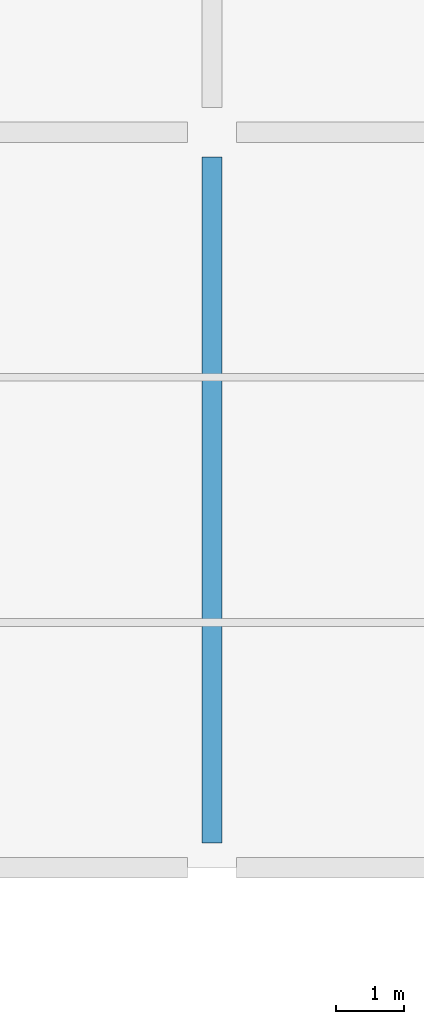
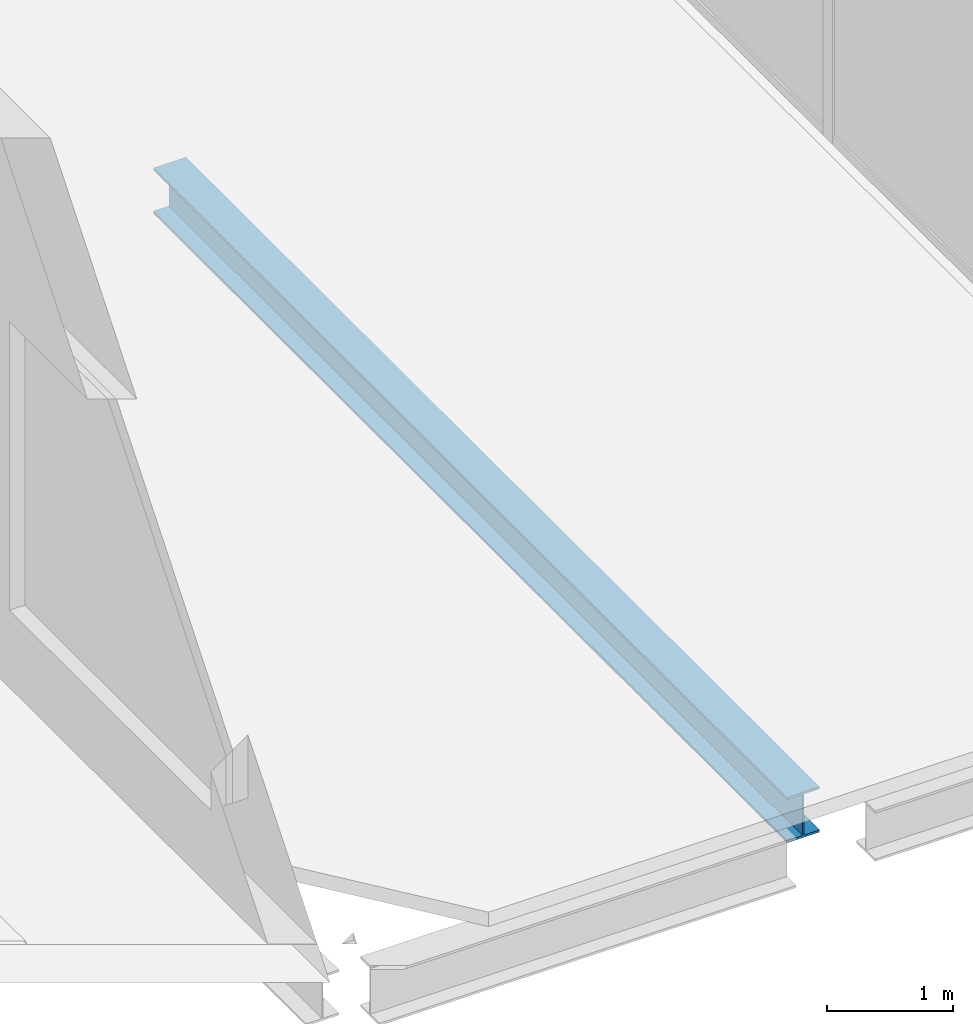
# One storey, part 84 of 191: 1 beam.
"""IFC4 building model written with IfcOpenShell, lengths in metres."""

from ifc_helpers import new_model, si_unit, direction, frame, origin, origin_2d, place, context, subcontext, project, spatial, i_section, extrude, material, material_profile, profile_set, type_object, element, save


model = new_model("IFC4")

# Units and contexts
model_context = context("Model", 3, precision=1e-05, world=origin(), true_north=direction((0.0, 1.0)))
body_context = subcontext(model_context, "Body", "Model", "MODEL_VIEW")
ifc_project = project(units=[si_unit("LENGTHUNIT", "METRE"), si_unit("AREAUNIT", "SQUARE_METRE"), si_unit("VOLUMEUNIT", "CUBIC_METRE"), si_unit("PLANEANGLEUNIT", "RADIAN"), si_unit("MASSUNIT", "GRAM", prefix="KILO")], contexts=[model_context])

# Site, building, storey
site_placement = place(None, origin())
site = spatial("IfcSite", under=ifc_project, at=site_placement, CompositionType="ELEMENT")
building_placement = place(site_placement, origin())
building = spatial("IfcBuilding", under=site, at=building_placement, Name="Tamarisk Ironworks Central Station", CompositionType="ELEMENT")
storey_placement = place(building_placement, frame((0.0, 0.0, 6.60009765625)))
storey = spatial("IfcBuildingStorey", under=building, at=storey_placement, Name="L01", CompositionType="ELEMENT", Elevation=6.60009765625)

# Beam
ifc_material = material(Name="Structural steel S355J2", Category="steel")
ifc_material_profile = material_profile(ifc_material, i_section(OverallWidth=0.300048828125, OverallDepth=0.43994140625, WebThickness=0.011474609375, FlangeThickness=0.02099609375, at=origin_2d()), Name="HEA 450")
ifc_profile_set = profile_set([ifc_material_profile], Name="Structural steel S355J2")
beam_type = type_object("IfcBeamType", Name="BM-G06", PredefinedType="BEAM", material=ifc_profile_set)
beam_placement = place(storey_placement, frame((49.5, 90.363037109375, -0.360107421875), z_axis=(0.0, 1.0, 0.0), x_axis=(-1.0, 0.0, 0.0)))
element("IfcBeam", 1, at=beam_placement, inside=storey, type_object=beam_type, Name="L01 primary girder Y-0205", PredefinedType="BEAM", context=body_context, shape_type="SweptSolid", body=[
    extrude(i_section(OverallWidth=0.300048828125, OverallDepth=0.43994140625, WebThickness=0.011474609375, FlangeThickness=0.02099609375, at=origin_2d()), origin(), (0.0, 0.0, 1.0), 10.073974609375),
])

save(model, "model.ifc")
